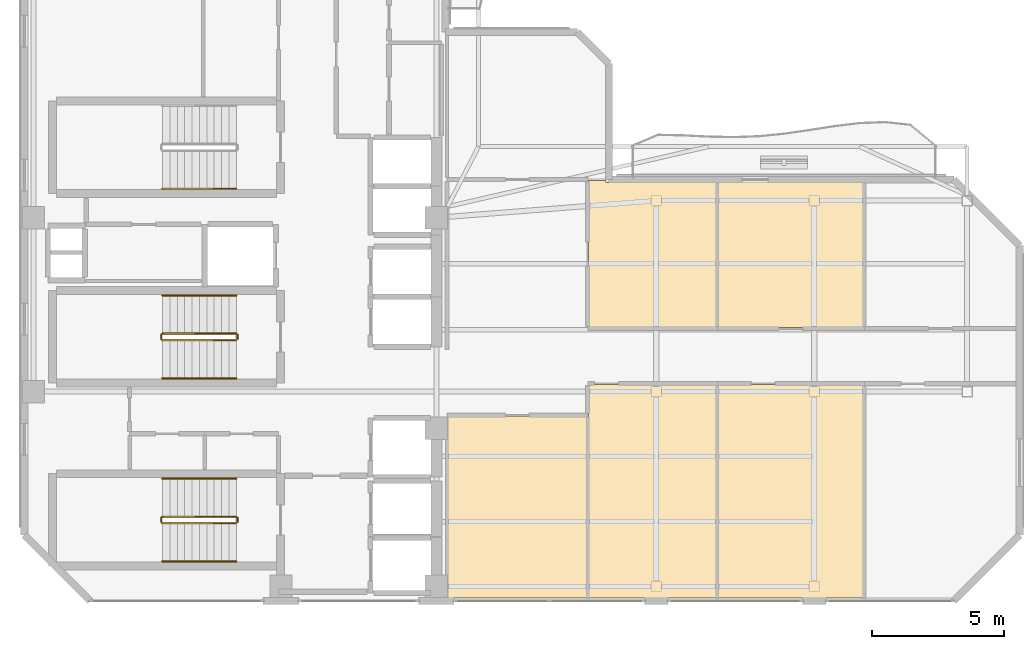
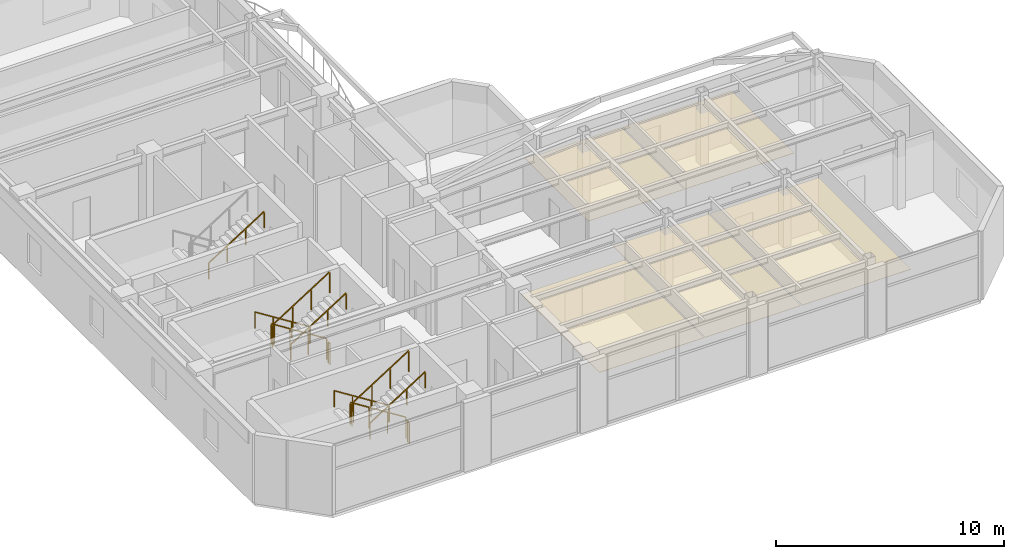
# One storey, part 13 of 15: 13 railings, 5 coverings.
"""IFC4 building model written with IfcOpenShell, lengths in metres."""

import ifcopenshell
import ifcopenshell.guid

model = None  # the IFC model being written
_history = None  # IfcOwnerHistory: only IFC2X3 demands one
_inside = {}  # id of a spatial element -> (the spatial element, [elements in it])
_under = {}  # id of a project, library or spatial element -> (it, [spatial elements below it])
_declared = {}  # id of a project -> (the project, [libraries it declares])
_typed = {}  # id of a type object -> (the type object, [elements of that type])
_made_of = {}  # id of a material, layer set ... -> (it, [elements and type objects made of it])


def new_model(schema):
    """Start an empty IFC model of exactly this schema.

    Asked for "IFC4X3", IfcOpenShell would pick the latest addendum, in which some entities
    have other attributes; the version numbers below select the first issue.
    IFC2X3 requires an IfcOwnerHistory on every rooted entity: one is made here for all.
    """
    global model, _history
    if schema == "IFC4X3":
        model = ifcopenshell.file(schema_version=(4, 3, 0, 0))
    else:
        model = ifcopenshell.file(schema=schema)
    _inside.clear()
    _under.clear()
    _declared.clear()
    _typed.clear()
    _made_of.clear()
    _history = None
    if model.schema == "IFC2X3":
        org = make("IfcOrganization", Name="unknown")
        user = make(
            "IfcPersonAndOrganization",
            ThePerson=make("IfcPerson", FamilyName="unknown"),
            TheOrganization=org,
        )
        app = make(
            "IfcApplication",
            ApplicationDeveloper=org,
            Version="unknown",
            ApplicationFullName="unknown",
            ApplicationIdentifier="unknown",
        )
        _history = make(
            "IfcOwnerHistory",
            OwningUser=user,
            OwningApplication=app,
            ChangeAction="ADDED",
            CreationDate=0,
        )
    return model


def make(cls, **values):
    """One entity of the class cls with the attributes given. An attribute that is None is left unset."""
    return model.create_entity(
        cls, **{name: value for name, value in values.items() if value is not None}
    )


def rooted(cls, **values):
    """An entity with a GlobalId (a new one), such as an element, a storey or a relation."""
    return make(cls, GlobalId=ifcopenshell.guid.new(), OwnerHistory=_history, **values)


def si_unit(unit_type, name, prefix=None):
    """IfcSIUnit, for example si_unit("LENGTHUNIT", "METRE", prefix="MILLI")."""
    return make("IfcSIUnit", UnitType=unit_type, Prefix=prefix, Name=name)


def assignment(units):
    """IfcUnitAssignment: the units of a project."""
    return None if units is None else make("IfcUnitAssignment", Units=units)


def point(xyz):
    """IfcCartesianPoint."""
    return None if xyz is None else make("IfcCartesianPoint", Coordinates=xyz)


def direction(xyz):
    """IfcDirection."""
    return None if xyz is None else make("IfcDirection", DirectionRatios=xyz)


def frame(location, z_axis=None, x_axis=None):
    """IfcAxis2Placement3D, a coordinate frame: its origin and axes. An axis left out is left unset."""
    return make(
        "IfcAxis2Placement3D",
        Location=point(location),
        Axis=direction(z_axis),
        RefDirection=direction(x_axis),
    )


def frame_2d(location, x_axis=None):
    """IfcAxis2Placement2D, a coordinate frame in the plane: its origin and x axis."""
    return make(
        "IfcAxis2Placement2D", Location=point(location), RefDirection=direction(x_axis)
    )


def origin():
    """The frame at (0, 0, 0) with its axes left unset."""
    return frame((0.0, 0.0, 0.0))


def origin_2d():
    """The frame at (0, 0) in the plane with its x axis left unset."""
    return frame_2d((0.0, 0.0))


def place(relative_to, where):
    """IfcLocalPlacement: puts the frame where relative to a parent placement (None: the world)."""
    return make(
        "IfcLocalPlacement", PlacementRelTo=relative_to, RelativePlacement=where
    )


def context(
    kind, dimensions, precision=None, world=None, true_north=None, identifier=None
):
    """IfcGeometricRepresentationContext, for example the 3D "Model" context."""
    return make(
        "IfcGeometricRepresentationContext",
        ContextIdentifier=identifier,
        ContextType=kind,
        CoordinateSpaceDimension=dimensions,
        Precision=precision,
        WorldCoordinateSystem=world,
        TrueNorth=true_north,
    )


def subcontext(parent, identifier, kind, view, scale=None):
    """IfcGeometricRepresentationSubContext, for example "Body" below "Model"."""
    return make(
        "IfcGeometricRepresentationSubContext",
        ContextIdentifier=identifier,
        ContextType=kind,
        ParentContext=parent,
        TargetScale=scale,
        TargetView=view,
    )


def project(units=None, contexts=None):
    """IfcProject with its units and contexts."""
    return rooted(
        "IfcProject",
        Name="project",
        RepresentationContexts=contexts,
        UnitsInContext=assignment(units),
    )


def spatial(cls, under=None, at=None, **own):
    """A site, building, storey or space (cls), placed at a placement, below another one or the project."""
    s = rooted(cls, ObjectPlacement=at, **own)
    if under is not None:
        _under.setdefault(under.id(), (under, []))[1].append(s)
    return s


def polyline(points):
    """IfcPolyline through the points."""
    return make("IfcPolyline", Points=[point(p) for p in points])


def profile(cls, at=None, kind="AREA", **sizes):
    """A parametric profile (cls). Its sizes go by their IFC names, for example OverallWidth=200.0."""
    return make(cls, ProfileType=kind, Position=at, **sizes)


def rectangle(**sizes):
    """IfcRectangleProfileDef."""
    return profile("IfcRectangleProfileDef", **sizes)


def outline(outer, holes=None, kind="AREA"):
    """IfcArbitraryClosedProfileDef: a profile drawn as a closed curve; with holes, ...WithVoids."""
    if holes is None:
        return make("IfcArbitraryClosedProfileDef", ProfileType=kind, OuterCurve=outer)
    return make(
        "IfcArbitraryProfileDefWithVoids",
        ProfileType=kind,
        OuterCurve=outer,
        InnerCurves=holes,
    )


def extrude(swept, where, along, depth):
    """IfcExtrudedAreaSolid: the profile swept, set in the frame where, extruded along a direction by depth."""
    return make(
        "IfcExtrudedAreaSolid",
        SweptArea=swept,
        Position=where,
        ExtrudedDirection=direction(along),
        Depth=depth,
    )


def shape(context_of_items, identifier, shape_type, items):
    """IfcShapeRepresentation: the items that make up one representation, for example the "Body"."""
    return make(
        "IfcShapeRepresentation",
        ContextOfItems=context_of_items,
        RepresentationIdentifier=identifier,
        RepresentationType=shape_type,
        Items=items,
    )


def material(Name=None, Category=None):
    """IfcMaterial."""
    return make("IfcMaterial", Name=Name, Category=Category)


def layer(
    of_material, thickness, ventilated=None, Name=None, Category=None, Priority=None
):
    """IfcMaterialLayer: one layer of a wall or slab, of a material (None: an air gap)."""
    return make(
        "IfcMaterialLayer",
        Material=of_material,
        LayerThickness=thickness,
        IsVentilated=ventilated,
        Name=Name,
        Category=Category,
        Priority=Priority,
    )


def layer_set(layers, Name=None):
    """IfcMaterialLayerSet."""
    return make("IfcMaterialLayerSet", MaterialLayers=layers, LayerSetName=Name)


def made_of(thing, what):
    """Note that an element or type object is made of a material, layer set ...; save() writes the relation."""
    if what is not None:
        _made_of.setdefault(what.id(), (what, []))[1].append(thing)
    return thing


def type_object(cls, material=None, **own):
    """A type object (cls), such as IfcWallType, which elements share."""
    return made_of(rooted(cls, **own), material)


def element(
    cls,
    number,
    at=None,
    inside=None,
    cuts=None,
    type_object=None,
    material=None,
    context=None,
    identifier="Body",
    shape_type=None,
    held_by="IfcProductDefinitionShape",
    body=None,
    shapes=None,
    **own,
):
    """One element of the class cls, such as IfcWall. Its Tag is "e" and its number.

    at: its placement. inside: the storey or other place that contains it. cuts: it is an
    opening in that element (IfcRelVoidsElement). A single representation is given by context,
    identifier, shape_type and body (its items); several are given by shapes. held_by: the class
    of the entity that holds the representations. save() writes the other relations.
    """
    e = rooted(cls, Tag="e%d" % number, ObjectPlacement=at, **own)
    if body is not None:
        shapes = [shape(context, identifier, shape_type, body)]
    if shapes is not None:
        e.Representation = make(held_by, Representations=shapes)
    if inside is not None:
        _inside.setdefault(inside.id(), (inside, []))[1].append(e)
    if cuts is not None:
        rooted(
            "IfcRelVoidsElement", RelatingBuildingElement=cuts, RelatedOpeningElement=e
        )
    if type_object is not None:
        _typed.setdefault(type_object.id(), (type_object, []))[1].append(e)
    return made_of(e, material)


def aggregate(whole, parts):
    """IfcRelAggregates: a whole, such as a stair, and the parts it consists of."""
    return rooted("IfcRelAggregates", RelatingObject=whole, RelatedObjects=parts)


def save(model, path):
    """Write the relations noted so far, then the file.

    IfcRelAggregates (storeys below a building ...), IfcRelContainedInSpatialStructure (elements
    in a storey), IfcRelDefinesByType, IfcRelAssociatesMaterial and IfcRelDeclares: one each for
    every whole, place, type object, material and project.
    """
    for whole, parts in _under.values():
        aggregate(whole, parts)
    for where, things in _inside.values():
        rooted(
            "IfcRelContainedInSpatialStructure",
            RelatedElements=things,
            RelatingStructure=where,
        )
    for kind, things in _typed.values():
        rooted("IfcRelDefinesByType", RelatedObjects=things, RelatingType=kind)
    for what, things in _made_of.values():
        rooted("IfcRelAssociatesMaterial", RelatedObjects=things, RelatingMaterial=what)
    for by, libraries in _declared.values():
        rooted("IfcRelDeclares", RelatingContext=by, RelatedDefinitions=libraries)
    model.write(path)


model = new_model("IFC4")

# Units and contexts
model_context = context("Model", 3, precision=1e-05, world=origin(), true_north=direction((0.0, 1.0)))
body_context = subcontext(model_context, "Body", "Model", "MODEL_VIEW")
ifc_project = project(units=[si_unit("LENGTHUNIT", "METRE"), si_unit("AREAUNIT", "SQUARE_METRE"), si_unit("VOLUMEUNIT", "CUBIC_METRE"), si_unit("PLANEANGLEUNIT", "RADIAN"), si_unit("MASSUNIT", "GRAM", prefix="KILO")], contexts=[model_context])

# Site, building, storey
site_placement = place(None, origin())
site = spatial("IfcSite", under=ifc_project, at=site_placement, CompositionType="ELEMENT")
building_placement = place(site_placement, origin())
building = spatial("IfcBuilding", under=site, at=building_placement, Name="Mawjaban Terraces University", CompositionType="ELEMENT")
storey_placement = place(building_placement, frame((0.0, 0.0, 295.0)))
storey = spatial("IfcBuildingStorey", under=building, at=storey_placement, Name="L72", CompositionType="ELEMENT", Elevation=295.0)

# Coverings
ifc_material_1 = material(Name="Acoustic mineral fibre ceiling tile", Category="masonry")
ifc_layer = layer(ifc_material_1, 0.02001953125)
ifc_layer_set = layer_set([ifc_layer], Name="Acoustic mineral fibre ceiling tile")
covering_type = type_object("IfcCoveringType", Name="AcousticMineralCeiling_20", PredefinedType="CEILING", material=ifc_layer_set)
covering_1_placement = place(storey_placement, frame((0.0, 0.0, 2.75)))
element("IfcCovering", 1, at=covering_1_placement, inside=storey, type_object=covering_type, Name="L72 Academic Counseling Room 1 Acoustic Ceiling", PredefinedType="CEILING", context=body_context, shape_type="SweptSolid", body=[
    extrude(outline(polyline([(38.080078125, 7.02001953125), (38.080078125, 0.114990234375), (43.3701171875, 0.114990234375), (43.3701171875, 7.02001953125), (38.080078125, 7.02001953125)])), origin(), (0.0, 0.0, 1.0), 0.02001953125),
])
covering_2_placement = place(storey_placement, frame((0.0, 0.0, 2.75)))
element("IfcCovering", 2, at=covering_2_placement, inside=storey, type_object=covering_type, Name="L72 Academic Counseling Room 2 Acoustic Ceiling", PredefinedType="CEILING", context=body_context, shape_type="SweptSolid", body=[
    extrude(outline(polyline([(43.429931640625, 0.114990234375), (48.2900390625, 0.114990234375), (48.2900390625, 8.219970703125), (43.429931640625, 8.219970703125), (43.429931640625, 0.114990234375)])), origin(), (0.0, 0.0, 1.0), 0.02001953125),
])
covering_3_placement = place(storey_placement, frame((0.0, 0.0, 2.75)))
element("IfcCovering", 3, at=covering_3_placement, inside=storey, type_object=covering_type, Name="L72 Academic Counseling Room 3 Acoustic Ceiling", PredefinedType="CEILING", context=body_context, shape_type="SweptSolid", body=[
    extrude(outline(polyline([(48.2900390625, 15.885009765625), (44.0849609375, 15.885009765625), (44.0849609375, 15.969970703125), (43.429931640625, 15.969970703125), (43.429931640625, 10.3798828125), (48.2900390625, 10.3798828125), (48.2900390625, 15.885009765625)])), origin(), (0.0, 0.0, 1.0), 0.02001953125),
])
covering_4_placement = place(storey_placement, frame((0.0, 0.0, 2.75)))
element("IfcCovering", 4, at=covering_4_placement, inside=storey, type_object=covering_type, Name="L72 Academic Counseling Room 4 Acoustic Ceiling", PredefinedType="CEILING", context=body_context, shape_type="SweptSolid", body=[
    extrude(outline(polyline([(48.35009765625, 0.114990234375), (53.865966796875, 0.114990234375), (53.865966796875, 8.219970703125), (48.35009765625, 8.219970703125), (48.35009765625, 0.114990234375)])), origin(), (0.0, 0.0, 1.0), 0.02001953125),
])
covering_5_placement = place(storey_placement, frame((0.0, 0.0, 2.75)))
element("IfcCovering", 5, at=covering_5_placement, inside=storey, type_object=covering_type, Name="L72 Faculty Office 5 Acoustic Ceiling", PredefinedType="CEILING", context=body_context, shape_type="SweptSolid", body=[
    extrude(outline(polyline([(53.865966796875, 15.885009765625), (48.35009765625, 15.885009765625), (48.35009765625, 10.3798828125), (53.865966796875, 10.3798828125), (53.865966796875, 15.885009765625)])), origin(), (0.0, 0.0, 1.0), 0.02001953125),
])

# Railings
ifc_material_2 = material(Name="Brushed stainless steel 316", Category="steel")
railing_type_1 = type_object("IfcRailingType", Name="StairWallHandrail_900", PredefinedType="HANDRAIL", material=ifc_material_2)
railing_1_placement = place(storey_placement, frame((30.050048828125, 4.64990234375, 0.17724609375)))
element("IfcRailing", 6, at=railing_1_placement, inside=storey, type_object=railing_type_1, Name="L72 ST-1 stair handrail 1", PredefinedType="HANDRAIL", context=body_context, shape_type="SweptSolid", body=[
    extrude(rectangle(XDim=0.048095703125, YDim=0.048095703125, at=origin_2d()), frame((0.0, 0.0, 0.8759765625), z_axis=(-0.844908973607, 0.0, 0.534910110503), x_axis=(0.0, -1.0, 0.0)), (0.0, 0.0, 1.0), 3.31396484375),
    extrude(rectangle(XDim=0.0419921875, YDim=0.0419921875, at=origin_2d()), origin(), (0.0, 0.0, 1.0), 0.851806640625),
    extrude(rectangle(XDim=0.0419921875, YDim=0.0419921875, at=origin_2d()), frame((-0.933349609375, 0.0, 0.5908203125)), (0.0, 0.0, 1.0), 0.851806640625),
    extrude(rectangle(XDim=0.0419921875, YDim=0.0419921875, at=origin_2d()), frame((-1.86669921875, 0.0, 1.181884765625)), (0.0, 0.0, 1.0), 0.851806640625),
    extrude(rectangle(XDim=0.0419921875, YDim=0.0419921875, at=origin_2d()), frame((-2.800048828125, 0.0, 1.772705078125)), (0.0, 0.0, 1.0), 0.851806640625),
])
for number, where, name in (
    (7, (27.25, 1.5, 2.127197265625), "L72 ST-1 stair handrail 2"),
    (8, (27.25, 15.64990234375, 2.127197265625), "L72 ST-2 stair handrail 2"),
):
    element("IfcRailing", number, at=place(storey_placement, frame(where)), inside=storey, type_object=railing_type_1, Name=name, PredefinedType="HANDRAIL", context=body_context, shape_type="SweptSolid", body=[
        extrude(rectangle(XDim=0.048095703125, YDim=0.048095703125, at=origin_2d()), frame((0.0, 0.0, 0.8759765625), z_axis=(0.844908973607, 0.0, 0.534910110503), x_axis=(0.0, 1.0, 0.0)), (0.0, 0.0, 1.0), 3.31396484375),
        extrude(rectangle(XDim=0.0419921875, YDim=0.0419921875, at=origin_2d()), origin(), (0.0, 0.0, 1.0), 0.851806640625),
        extrude(rectangle(XDim=0.0419921875, YDim=0.0419921875, at=origin_2d()), frame((0.933349609375, 0.0, 0.5908203125)), (0.0, 0.0, 1.0), 0.851806640625),
        extrude(rectangle(XDim=0.0419921875, YDim=0.0419921875, at=origin_2d()), frame((1.86669921875, 0.0, 1.181884765625)), (0.0, 0.0, 1.0), 0.851806640625),
        extrude(rectangle(XDim=0.0419921875, YDim=0.0419921875, at=origin_2d()), frame((2.800048828125, 0.0, 1.772705078125)), (0.0, 0.0, 1.0), 0.851806640625),
    ])
railing_2_placement = place(storey_placement, frame((30.050048828125, 11.60009765625, 0.17724609375)))
element("IfcRailing", 9, at=railing_2_placement, inside=storey, type_object=railing_type_1, Name="L72 ST-3 stair handrail 1", PredefinedType="HANDRAIL", context=body_context, shape_type="SweptSolid", body=[
    extrude(rectangle(XDim=0.048095703125, YDim=0.048095703125, at=origin_2d()), frame((0.0, 0.0, 0.8759765625), z_axis=(-0.844908973607, 0.0, 0.534910110503), x_axis=(0.0, -1.0, 0.0)), (0.0, 0.0, 1.0), 3.31396484375),
    extrude(rectangle(XDim=0.0419921875, YDim=0.0419921875, at=origin_2d()), origin(), (0.0, 0.0, 1.0), 0.851806640625),
    extrude(rectangle(XDim=0.0419921875, YDim=0.0419921875, at=origin_2d()), frame((-0.933349609375, 0.0, 0.5908203125)), (0.0, 0.0, 1.0), 0.851806640625),
    extrude(rectangle(XDim=0.0419921875, YDim=0.0419921875, at=origin_2d()), frame((-1.86669921875, 0.0, 1.181884765625)), (0.0, 0.0, 1.0), 0.851806640625),
    extrude(rectangle(XDim=0.0419921875, YDim=0.0419921875, at=origin_2d()), frame((-2.800048828125, 0.0, 1.772705078125)), (0.0, 0.0, 1.0), 0.851806640625),
])
railing_3_placement = place(storey_placement, frame((27.25, 8.449951171875, 2.127197265625)))
element("IfcRailing", 10, at=railing_3_placement, inside=storey, type_object=railing_type_1, Name="L72 ST-3 stair handrail 2", PredefinedType="HANDRAIL", context=body_context, shape_type="SweptSolid", body=[
    extrude(rectangle(XDim=0.048095703125, YDim=0.048095703125, at=origin_2d()), frame((0.0, 0.0, 0.8759765625), z_axis=(0.844908973607, 0.0, 0.534910110503), x_axis=(0.0, 1.0, 0.0)), (0.0, 0.0, 1.0), 3.31396484375),
    extrude(rectangle(XDim=0.0419921875, YDim=0.0419921875, at=origin_2d()), origin(), (0.0, 0.0, 1.0), 0.851806640625),
    extrude(rectangle(XDim=0.0419921875, YDim=0.0419921875, at=origin_2d()), frame((0.933349609375, 0.0, 0.5908203125)), (0.0, 0.0, 1.0), 0.851806640625),
    extrude(rectangle(XDim=0.0419921875, YDim=0.0419921875, at=origin_2d()), frame((1.86669921875, 0.0, 1.181884765625)), (0.0, 0.0, 1.0), 0.851806640625),
    extrude(rectangle(XDim=0.0419921875, YDim=0.0419921875, at=origin_2d()), frame((2.800048828125, 0.0, 1.772705078125)), (0.0, 0.0, 1.0), 0.851806640625),
])
ifc_material_3 = material(Name="Galvanised painted steel S355", Category="steel")
railing_type_2 = type_object("IfcRailingType", Name="StairWellGuard_1150", PredefinedType="BALUSTRADE", material=ifc_material_3)
railing_4_placement = place(storey_placement, frame((30.050048828125, 3.199951171875, 0.17724609375)))
element("IfcRailing", 11, at=railing_4_placement, inside=storey, type_object=railing_type_2, Name="L72 ST-1 stair guard 1", PredefinedType="BALUSTRADE", context=body_context, shape_type="SweptSolid", body=[
    extrude(rectangle(XDim=0.048095703125, YDim=0.048095703125, at=origin_2d()), frame((0.0, 0.0, 1.1259765625), z_axis=(-0.844908973607, 0.0, 0.534910110503), x_axis=(0.0, -1.0, 0.0)), (0.0, 0.0, 1.0), 3.31396484375),
    extrude(rectangle(XDim=0.0419921875, YDim=0.0419921875, at=origin_2d()), origin(), (0.0, 0.0, 1.0), 1.101806640625),
    extrude(rectangle(XDim=0.0419921875, YDim=0.0419921875, at=origin_2d()), frame((-0.933349609375, 0.0, 0.5908203125)), (0.0, 0.0, 1.0), 1.101806640625),
    extrude(rectangle(XDim=0.0419921875, YDim=0.0419921875, at=origin_2d()), frame((-1.86669921875, 0.0, 1.181884765625)), (0.0, 0.0, 1.0), 1.101806640625),
    extrude(rectangle(XDim=0.0419921875, YDim=0.0419921875, at=origin_2d()), frame((-2.800048828125, 0.0, 1.772705078125)), (0.0, 0.0, 1.0), 1.101806640625),
])
railing_5_placement = place(storey_placement, frame((27.199951171875, 3.14990234375, 1.949951171875)))
element("IfcRailing", 12, at=railing_5_placement, inside=storey, type_object=railing_type_2, Name="L72 ST-1 stair guard 2", PredefinedType="BALUSTRADE", context=body_context, shape_type="SweptSolid", body=[
    extrude(rectangle(XDim=0.048095703125, YDim=0.048095703125, at=origin_2d()), frame((0.0, 0.0, 1.1259765625), z_axis=(0.0, -1.0, 0.0), x_axis=(1.0, 0.0, 0.0)), (0.0, 0.0, 1.0), 0.14990234375),
    extrude(rectangle(XDim=0.0419921875, YDim=0.0419921875, at=origin_2d()), origin(), (0.0, 0.0, 1.0), 1.101806640625),
    extrude(rectangle(XDim=0.0419921875, YDim=0.0419921875, at=origin_2d()), frame((0.0, -0.14990234375, 0.0)), (0.0, 0.0, 1.0), 1.101806640625),
])
railing_6_placement = place(storey_placement, frame((27.25, 2.949951171875, 2.127197265625)))
element("IfcRailing", 13, at=railing_6_placement, inside=storey, type_object=railing_type_2, Name="L72 ST-1 stair guard 3", PredefinedType="BALUSTRADE", context=body_context, shape_type="SweptSolid", body=[
    extrude(rectangle(XDim=0.048095703125, YDim=0.048095703125, at=origin_2d()), frame((0.0, 0.0, 1.1259765625), z_axis=(0.844908973607, 0.0, 0.534910110503), x_axis=(0.0, 1.0, 0.0)), (0.0, 0.0, 1.0), 3.31396484375),
    extrude(rectangle(XDim=0.0419921875, YDim=0.0419921875, at=origin_2d()), origin(), (0.0, 0.0, 1.0), 1.101806640625),
    extrude(rectangle(XDim=0.0419921875, YDim=0.0419921875, at=origin_2d()), frame((0.933349609375, 0.0, 0.5908203125)), (0.0, 0.0, 1.0), 1.101806640625),
    extrude(rectangle(XDim=0.0419921875, YDim=0.0419921875, at=origin_2d()), frame((1.86669921875, 0.0, 1.181884765625)), (0.0, 0.0, 1.0), 1.101806640625),
    extrude(rectangle(XDim=0.0419921875, YDim=0.0419921875, at=origin_2d()), frame((2.800048828125, 0.0, 1.772705078125)), (0.0, 0.0, 1.0), 1.101806640625),
])
railing_7_placement = place(storey_placement, frame((30.10009765625, 3.14990234375, 0.0)))
element("IfcRailing", 14, at=railing_7_placement, inside=storey, type_object=railing_type_2, Name="L72 ST-1 stair guard 4", PredefinedType="BALUSTRADE", context=body_context, shape_type="SweptSolid", body=[
    extrude(rectangle(XDim=0.048095703125, YDim=0.048095703125, at=origin_2d()), frame((0.0, 0.0, 1.1259765625), z_axis=(0.0, -1.0, 0.0), x_axis=(1.0, 0.0, 0.0)), (0.0, 0.0, 1.0), 0.14990234375),
    extrude(rectangle(XDim=0.0419921875, YDim=0.0419921875, at=origin_2d()), origin(), (0.0, 0.0, 1.0), 1.101806640625),
    extrude(rectangle(XDim=0.0419921875, YDim=0.0419921875, at=origin_2d()), frame((0.0, -0.14990234375, 0.0)), (0.0, 0.0, 1.0), 1.101806640625),
])
railing_8_placement = place(storey_placement, frame((30.050048828125, 10.14990234375, 0.17724609375)))
element("IfcRailing", 15, at=railing_8_placement, inside=storey, type_object=railing_type_2, Name="L72 ST-3 stair guard 1", PredefinedType="BALUSTRADE", context=body_context, shape_type="SweptSolid", body=[
    extrude(rectangle(XDim=0.048095703125, YDim=0.048095703125, at=origin_2d()), frame((0.0, 0.0, 1.1259765625), z_axis=(-0.844908973607, 0.0, 0.534910110503), x_axis=(0.0, -1.0, 0.0)), (0.0, 0.0, 1.0), 3.31396484375),
    extrude(rectangle(XDim=0.0419921875, YDim=0.0419921875, at=origin_2d()), origin(), (0.0, 0.0, 1.0), 1.101806640625),
    extrude(rectangle(XDim=0.0419921875, YDim=0.0419921875, at=origin_2d()), frame((-0.933349609375, 0.0, 0.5908203125)), (0.0, 0.0, 1.0), 1.101806640625),
    extrude(rectangle(XDim=0.0419921875, YDim=0.0419921875, at=origin_2d()), frame((-1.86669921875, 0.0, 1.181884765625)), (0.0, 0.0, 1.0), 1.101806640625),
    extrude(rectangle(XDim=0.0419921875, YDim=0.0419921875, at=origin_2d()), frame((-2.800048828125, 0.0, 1.772705078125)), (0.0, 0.0, 1.0), 1.101806640625),
])
railing_9_placement = place(storey_placement, frame((27.199951171875, 10.10009765625, 1.949951171875)))
element("IfcRailing", 16, at=railing_9_placement, inside=storey, type_object=railing_type_2, Name="L72 ST-3 stair guard 2", PredefinedType="BALUSTRADE", context=body_context, shape_type="SweptSolid", body=[
    extrude(rectangle(XDim=0.048095703125, YDim=0.048095703125, at=origin_2d()), frame((0.0, 0.0, 1.1259765625), z_axis=(0.0, -1.0, 0.0), x_axis=(1.0, 0.0, 0.0)), (0.0, 0.0, 1.0), 0.150146484375),
    extrude(rectangle(XDim=0.0419921875, YDim=0.0419921875, at=origin_2d()), origin(), (0.0, 0.0, 1.0), 1.101806640625),
    extrude(rectangle(XDim=0.0419921875, YDim=0.0419921875, at=origin_2d()), frame((0.0, -0.150146484375, 0.0)), (0.0, 0.0, 1.0), 1.101806640625),
])
railing_10_placement = place(storey_placement, frame((27.25, 9.89990234375, 2.127197265625)))
element("IfcRailing", 17, at=railing_10_placement, inside=storey, type_object=railing_type_2, Name="L72 ST-3 stair guard 3", PredefinedType="BALUSTRADE", context=body_context, shape_type="SweptSolid", body=[
    extrude(rectangle(XDim=0.048095703125, YDim=0.048095703125, at=origin_2d()), frame((0.0, 0.0, 1.1259765625), z_axis=(0.844908973607, 0.0, 0.534910110503), x_axis=(0.0, 1.0, 0.0)), (0.0, 0.0, 1.0), 3.31396484375),
    extrude(rectangle(XDim=0.0419921875, YDim=0.0419921875, at=origin_2d()), origin(), (0.0, 0.0, 1.0), 1.101806640625),
    extrude(rectangle(XDim=0.0419921875, YDim=0.0419921875, at=origin_2d()), frame((0.933349609375, 0.0, 0.5908203125)), (0.0, 0.0, 1.0), 1.101806640625),
    extrude(rectangle(XDim=0.0419921875, YDim=0.0419921875, at=origin_2d()), frame((1.86669921875, 0.0, 1.181884765625)), (0.0, 0.0, 1.0), 1.101806640625),
    extrude(rectangle(XDim=0.0419921875, YDim=0.0419921875, at=origin_2d()), frame((2.800048828125, 0.0, 1.772705078125)), (0.0, 0.0, 1.0), 1.101806640625),
])
railing_11_placement = place(storey_placement, frame((30.10009765625, 10.10009765625, 0.0)))
element("IfcRailing", 18, at=railing_11_placement, inside=storey, type_object=railing_type_2, Name="L72 ST-3 stair guard 4", PredefinedType="BALUSTRADE", context=body_context, shape_type="SweptSolid", body=[
    extrude(rectangle(XDim=0.048095703125, YDim=0.048095703125, at=origin_2d()), frame((0.0, 0.0, 1.1259765625), z_axis=(0.0, -1.0, 0.0), x_axis=(1.0, 0.0, 0.0)), (0.0, 0.0, 1.0), 0.150146484375),
    extrude(rectangle(XDim=0.0419921875, YDim=0.0419921875, at=origin_2d()), origin(), (0.0, 0.0, 1.0), 1.101806640625),
    extrude(rectangle(XDim=0.0419921875, YDim=0.0419921875, at=origin_2d()), frame((0.0, -0.150146484375, 0.0)), (0.0, 0.0, 1.0), 1.101806640625),
])

save(model, "model.ifc")
